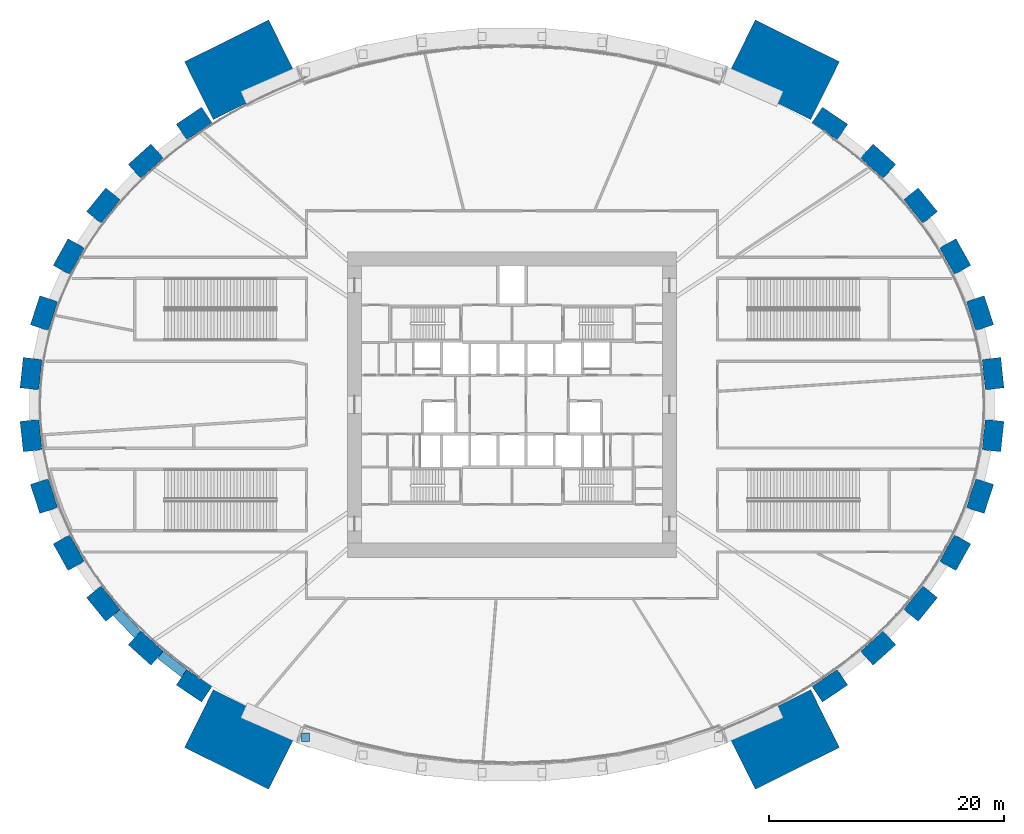
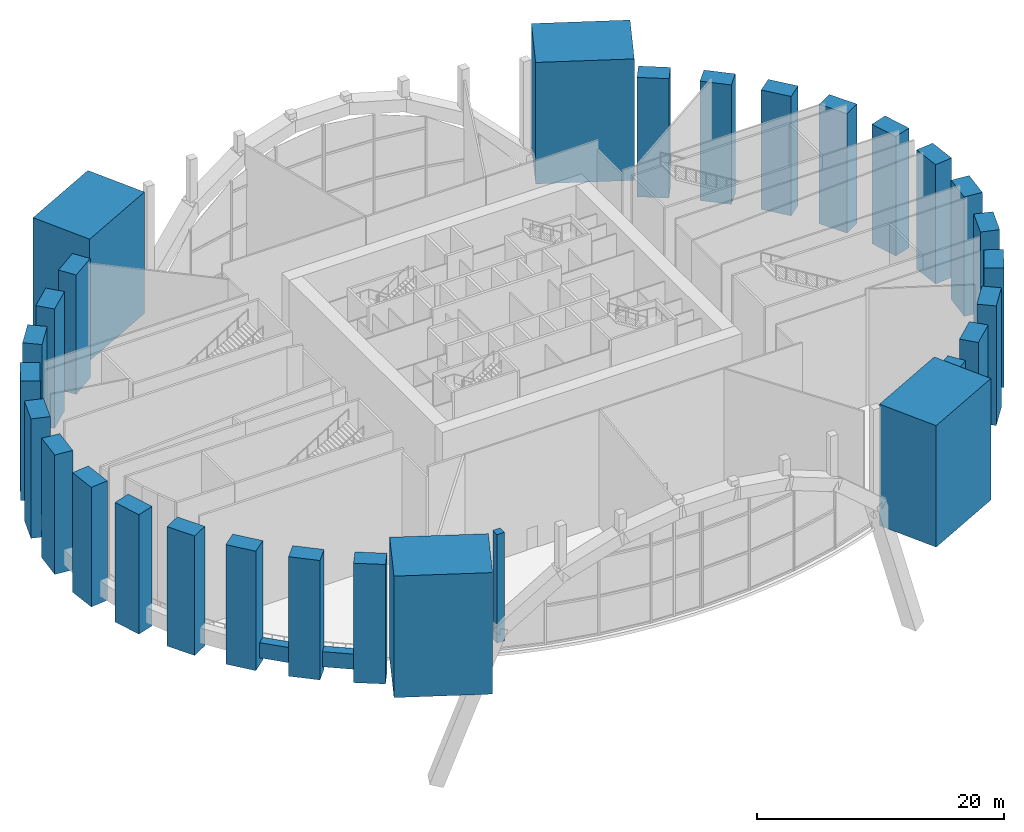
# One storey, part 1 of 21: 28 columns, 2 beams, 1 member.
"""IFC4 building model written with IfcOpenShell, lengths in metres."""

from ifc_helpers import new_model, si_unit, direction, frame, origin, origin_2d, place, context, subcontext, project, spatial, rectangle, extrude, source, transform, mapped, material, material_profile, profile_set, type_object, element, save


model = new_model("IFC4")

# Units and contexts
model_context = context("Model", 3, precision=1e-05, world=origin(), true_north=direction((0.0, 1.0)))
body_context = subcontext(model_context, "Body", "Model", "MODEL_VIEW")
ifc_project = project(units=[si_unit("LENGTHUNIT", "METRE"), si_unit("AREAUNIT", "SQUARE_METRE"), si_unit("VOLUMEUNIT", "CUBIC_METRE"), si_unit("PLANEANGLEUNIT", "RADIAN"), si_unit("MASSUNIT", "GRAM", prefix="KILO")], contexts=[model_context])

# Site, building, storey
site_placement = place(None, origin())
site = spatial("IfcSite", under=ifc_project, at=site_placement, CompositionType="ELEMENT")
building_placement = place(site_placement, origin())
building = spatial("IfcBuilding", under=site, at=building_placement, Name="Embergate Tower", CompositionType="ELEMENT")
storey_placement = place(building_placement, frame((0.0, 0.0, 12.0)))
storey = spatial("IfcBuildingStorey", under=building, at=storey_placement, Name="L01", CompositionType="ELEMENT", Elevation=12.0)

# Columns
ifc_material = material(Name="Concrete C70", Category="concrete")
ifc_material_profile_1 = material_profile(ifc_material, rectangle(XDim=1.60009765625, YDim=2.60009765625, at=origin_2d()), Name="RC 1600x2600")
ifc_profile_set_1 = profile_set([ifc_material_profile_1], Name="Concrete C70")
column_type_1 = type_object("IfcColumnType", Name="Ring column RC 1600x2600 C70", PredefinedType="COLUMN", material=ifc_profile_set_1)
shared_shape_1 = source(origin(), body_context, "Body", "SweptSolid", [
    extrude(rectangle(XDim=1.60009765625, YDim=2.60009765625, at=origin_2d()), origin(), (0.0, 0.0, 1.0), 11.800048828125),
])
for number, where, z_axis, x_axis, name in (
    (1, (40.958984375, 2.636962890625, -1.5), (0.0, 0.0, 1.0), (0.99428589498, 0.106749983816, 0.0), "COL-L01-00"),
    (2, (39.85009765625, 7.7880859375, -1.5), (0.0, 0.0, 1.0), (0.950754033697, 0.309946394413, 0.0), "COL-L01-01"),
    (3, (37.738037109375, 12.60498046875, -1.5), (0.0, 0.0, 1.0), (0.873491969053, 0.486838556403, 0.0), "COL-L01-02"),
    (4, (34.7890625, 16.94189453125, -1.5), (0.0, 0.0, 1.0), (0.775925311702, 0.630824786022, 0.0), "COL-L01-03"),
    (5, (31.178955078125, 20.72802734375, -1.5), (0.0, 0.0, 1.0), (0.669208424634, 0.74307475021, 0.0), "COL-L01-04"),
    (6, (27.06494140625, 23.93896484375, -1.5), (0.0, 0.0, 1.0), (0.560393279442, 0.828226643109, 0.0), "COL-L01-05"),
    (7, (-27.06494140625, 23.93896484375, -1.5), (0.0, 0.0, 1.0), (-0.560393279442, 0.828226643109, 0.0), "COL-L01-16"),
    (8, (-31.178955078125, 20.72802734375, -1.5), (0.0, 0.0, 1.0), (-0.669208424634, 0.74307475021, 0.0), "COL-L01-17"),
    (9, (-34.7890625, 16.94189453125, -1.5), (0.0, 0.0, 1.0), (-0.775925311702, 0.630824786022, 0.0), "COL-L01-18"),
    (10, (-37.738037109375, 12.60498046875, -1.5), (0.0, 0.0, 1.0), (-0.873491969053, 0.486838556403, 0.0), "COL-L01-19"),
    (11, (-39.85009765625, 7.7880859375, -1.5), (0.0, 0.0, 1.0), (-0.950754033697, 0.309946394413, 0.0), "COL-L01-20"),
    (12, (-40.958984375, 2.636962890625, -1.5), (0.0, 0.0, 1.0), (-0.99428589498, 0.106749983816, 0.0), "COL-L01-21"),
    (13, (-40.958984375, -2.636962890625, -1.5), (0.0, 0.0, 1.0), (-0.99428589498, -0.106749983816, 0.0), "COL-L01-22"),
    (14, (-39.85009765625, -7.7880859375, -1.5), (0.0, 0.0, 1.0), (-0.950754033697, -0.309946394413, 0.0), "COL-L01-23"),
    (15, (-37.738037109375, -12.60498046875, -1.5), (0.0, 0.0, 1.0), (-0.873491969053, -0.486838556403, 0.0), "COL-L01-24"),
    (16, (-34.7890625, -16.94189453125, -1.5), (0.0, 0.0, 1.0), (-0.775925311702, -0.630824786022, 0.0), "COL-L01-25"),
    (17, (-31.178955078125, -20.72802734375, -1.5), (0.0, 0.0, 1.0), (-0.669208424634, -0.74307475021, 0.0), "COL-L01-26"),
    (18, (-27.06494140625, -23.93896484375, -1.5), (0.0, 0.0, 1.0), (-0.560393279442, -0.828226643109, 0.0), "COL-L01-27"),
    (19, (27.06494140625, -23.93896484375, -1.5), (0.0, 0.0, 1.0), (0.560393279442, -0.828226643109, 0.0), "COL-L01-38"),
    (20, (31.178955078125, -20.72802734375, -1.5), (0.0, 0.0, 1.0), (0.669208424634, -0.74307475021, 0.0), "COL-L01-39"),
    (21, (34.7890625, -16.94189453125, -1.5), (0.0, 0.0, 1.0), (0.775925311702, -0.630824786022, 0.0), "COL-L01-40"),
    (22, (37.738037109375, -12.60498046875, -1.5), (0.0, 0.0, 1.0), (0.873491969053, -0.486838556403, 0.0), "COL-L01-41"),
    (23, (39.85009765625, -7.7880859375, -1.5), (0.0, 0.0, 1.0), (0.950754033697, -0.309946394413, 0.0), "COL-L01-42"),
    (24, (40.958984375, -2.636962890625, -1.5), (0.0, 0.0, 1.0), (0.99428589498, -0.106749983816, 0.0), "COL-L01-43"),
):
    element("IfcColumn", number, at=place(storey_placement, frame(where, z_axis=z_axis, x_axis=x_axis)), inside=storey, type_object=column_type_1, Name=name, PredefinedType="COLUMN", context=body_context, shape_type="MappedRepresentation", body=[
        mapped(shared_shape_1, transform((0.0, 0.0, 0.0))),
    ])
ifc_material_profile_2 = material_profile(ifc_material, rectangle(XDim=5.5, YDim=8.0, at=origin_2d()), Name="RC 5500x8000")
ifc_profile_set_2 = profile_set([ifc_material_profile_2], Name="Concrete C70")
column_type_2 = type_object("IfcColumnType", Name="Abutment pier RC 5500x8000", PredefinedType="COLUMN", material=ifc_profile_set_2)
shared_shape_2 = source(origin(), body_context, "Body", "SweptSolid", [
    extrude(rectangle(XDim=5.5, YDim=8.0, at=origin_2d()), origin(), (0.0, 0.0, 1.0), 12.0),
])
for number, where, z_axis, x_axis, name in (
    (25, (23.076904296875, 28.509033203125, 0.0), (0.0, 0.0, 1.0), (0.444697710579, 0.895680716665, 0.0), "PIER-L01-06"),
    (26, (-23.076904296875, 28.509033203125, 0.0), (0.0, 0.0, 1.0), (-0.444697710579, 0.895680716665, 0.0), "PIER-L01-15"),
    (27, (-23.076904296875, -28.509033203125, 0.0), (0.0, 0.0, 1.0), (-0.444697710579, -0.895680716665, 0.0), "PIER-L01-28"),
    (28, (23.076904296875, -28.509033203125, 0.0), (0.0, 0.0, 1.0), (0.444697710579, -0.895680716665, 0.0), "PIER-L01-37"),
):
    element("IfcColumn", number, at=place(storey_placement, frame(where, z_axis=z_axis, x_axis=x_axis)), inside=storey, type_object=column_type_2, Name=name, PredefinedType="COLUMN", context=body_context, shape_type="MappedRepresentation", body=[
        mapped(shared_shape_2, transform((0.0, 0.0, 0.0))),
    ])

# Beams
ifc_material_profile_3 = material_profile(ifc_material, rectangle(XDim=0.800048828125, YDim=1.5, at=origin_2d()), Name="RC 800x1500")
ifc_profile_set_3 = profile_set([ifc_material_profile_3], Name="Concrete C70")
beam_type = type_object("IfcBeamType", Name="Spandrel beam RC 800x1500 C70", PredefinedType="BEAM", material=ifc_profile_set_3)
shared_shape_3 = source(origin(), body_context, "Body", "SweptSolid", [
    extrude(rectangle(XDim=0.800048828125, YDim=1.5, at=origin_2d()), origin(), (0.0, 0.0, 1.0), 2.577392578125),
])
beam_1_placement = place(storey_placement, frame((-33.656982421875, -17.697021484375, 0.0), z_axis=(0.68985145899, -0.723950940692, 0.0), x_axis=(0.723950940692, 0.68985145899, 0.0)))
element("IfcBeam", 29, at=beam_1_placement, inside=storey, type_object=beam_type, Name="SPN-L01-25", PredefinedType="BEAM", context=body_context, shape_type="MappedRepresentation", body=[
    mapped(shared_shape_3, transform((0.0, 0.0, 0.0))),
])
shared_shape_4 = source(origin(), body_context, "Body", "SweptSolid", [
    extrude(rectangle(XDim=0.800048828125, YDim=1.5, at=origin_2d()), origin(), (0.0, 0.0, 1.0), 2.568359375),
])
beam_2_placement = place(storey_placement, frame((-29.93798828125, -21.29296875, 0.0), z_axis=(0.788378750505, -0.615190170396, 0.0), x_axis=(0.615190170396, 0.788378750505, 0.0)))
element("IfcBeam", 30, at=beam_2_placement, inside=storey, type_object=beam_type, Name="SPN-L01-26", PredefinedType="BEAM", context=body_context, shape_type="MappedRepresentation", body=[
    mapped(shared_shape_4, transform((0.0, 0.0, 0.0))),
])

# Member
ifc_material_profile_4 = material_profile(ifc_material, rectangle(XDim=0.699951171875, YDim=0.699951171875, at=origin_2d()), Name="RC 700x700")
ifc_profile_set_4 = profile_set([ifc_material_profile_4], Name="Concrete C70")
member_type = type_object("IfcMemberType", Name="Arch spandrel strut RC 700x700", PredefinedType="STRUT", material=ifc_profile_set_4)
shared_shape_5 = source(origin(), body_context, "Body", "SweptSolid", [
    extrude(rectangle(XDim=0.699951171875, YDim=0.699951171875, at=origin_2d()), origin(), (0.0, 0.0, 1.0), 10.719970703125),
])
member_placement = place(storey_placement, frame((-17.590087890625, -28.31494140625, 1.580078125), z_axis=(0.0, 0.0, 1.0), x_axis=(1.0, 0.0, 0.0)))
element("IfcMember", 31, at=member_placement, inside=storey, type_object=member_type, Name="TRF-S-ST02", PredefinedType="STRUT", context=body_context, shape_type="MappedRepresentation", body=[
    mapped(shared_shape_5, transform((0.0, 0.0, 0.0))),
])

save(model, "model.ifc")
